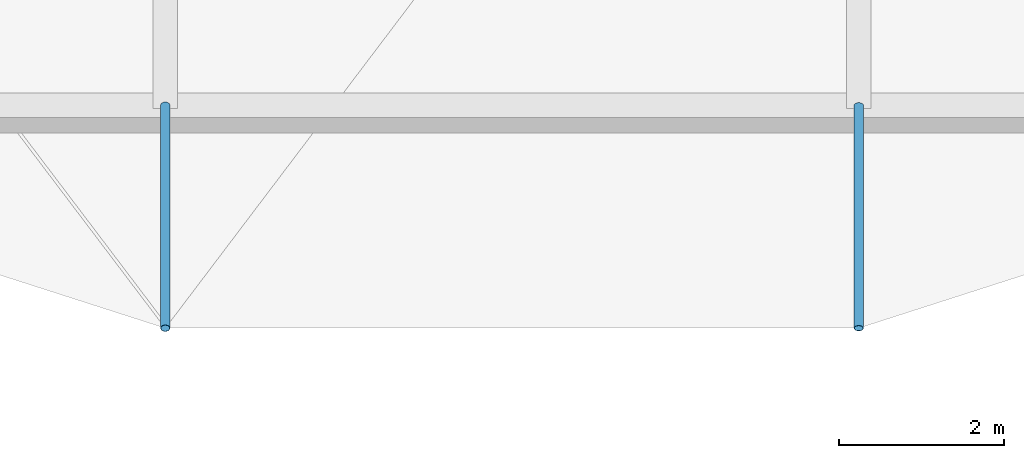
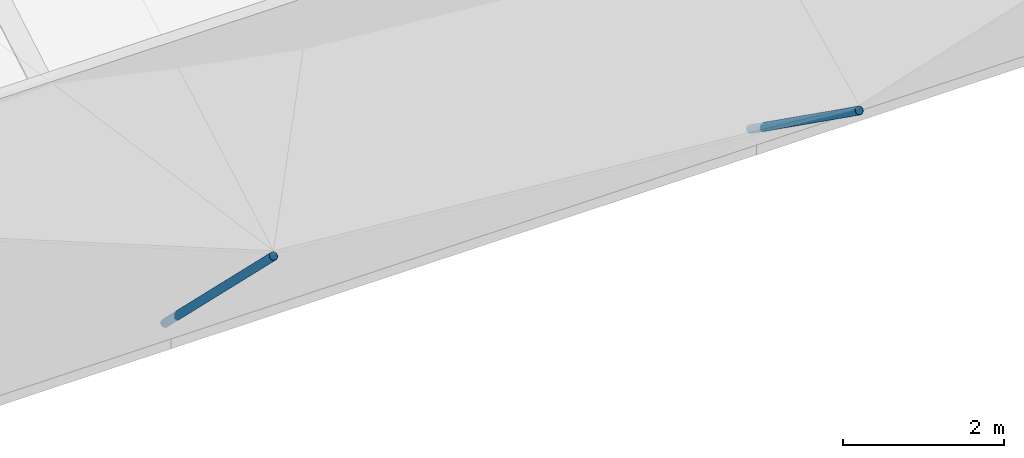
# One storey, part 51 of 111: 2 discrete accessories.
"""IFC4 building model written with IfcOpenShell, lengths in metres."""

from ifc_helpers import new_model, si_unit, direction, frame, origin, origin_2d, place, context, subcontext, project, spatial, hollow_circle, extrude, material, material_profile, profile_set, type_object, element, save


model = new_model("IFC4")

# Units and contexts
model_context = context("Model", 3, precision=1e-05, world=origin(), true_north=direction((0.0, 1.0)))
body_context = subcontext(model_context, "Body", "Model", "MODEL_VIEW")
ifc_project = project(units=[si_unit("LENGTHUNIT", "METRE"), si_unit("AREAUNIT", "SQUARE_METRE"), si_unit("VOLUMEUNIT", "CUBIC_METRE"), si_unit("PLANEANGLEUNIT", "RADIAN"), si_unit("MASSUNIT", "GRAM", prefix="KILO")], contexts=[model_context])

# Site, building, storey
site_placement = place(None, origin())
site = spatial("IfcSite", under=ifc_project, at=site_placement, CompositionType="ELEMENT")
building_placement = place(site_placement, origin())
building = spatial("IfcBuilding", under=site, at=building_placement, Name="Rain Tree Exposition and Congress Centre", CompositionType="ELEMENT")
storey_placement = place(building_placement, frame((0.0, 0.0, 19.5)))
storey = spatial("IfcBuildingStorey", under=building, at=storey_placement, Name="RF", CompositionType="ELEMENT", Elevation=19.5)

# Discrete accessories
ifc_material = material(Name="Steel S355J2H", Category="steel")
ifc_material_profile = material_profile(ifc_material, hollow_circle(Radius=0.05712890625, WallThickness=0.00439453125, at=origin_2d()), Name="CHS 114x4.5")
ifc_profile_set = profile_set([ifc_material_profile], Name="Steel S355J2H")
discrete_accessory_type = type_object("IfcDiscreteAccessoryType", Name="Roof skin post CHS 114x4.5", PredefinedType="BRACKET", material=ifc_profile_set)
discrete_accessory_1_placement = place(storey_placement, frame((226.800048828125, 100.800048828125, 0.5), z_axis=(0.0, -0.713239133146, 0.700920779368), x_axis=(1.0, 0.0, 0.0)))
element("IfcDiscreteAccessory", 1, at=discrete_accessory_1_placement, inside=storey, type_object=discrete_accessory_type, Name="Roof skin post B11", PredefinedType="BRACKET", context=body_context, shape_type="SweptSolid", body=[
    extrude(hollow_circle(Radius=0.05712890625, WallThickness=0.00439453125, at=origin_2d()), origin(), (0.0, 0.0, 1.0), 3.785400390625),
])
discrete_accessory_2_placement = place(storey_placement, frame((235.199951171875, 100.800048828125, 0.5), z_axis=(0.0, -0.814961511859, 0.579515085384), x_axis=(1.0, 0.0, 0.0)))
element("IfcDiscreteAccessory", 2, at=discrete_accessory_2_placement, inside=storey, type_object=discrete_accessory_type, Name="Roof skin post B12", PredefinedType="BRACKET", context=body_context, shape_type="SweptSolid", body=[
    extrude(hollow_circle(Radius=0.05712890625, WallThickness=0.00439453125, at=origin_2d()), origin(), (0.0, 0.0, 1.0), 3.31298828125),
])

save(model, "model.ifc")
